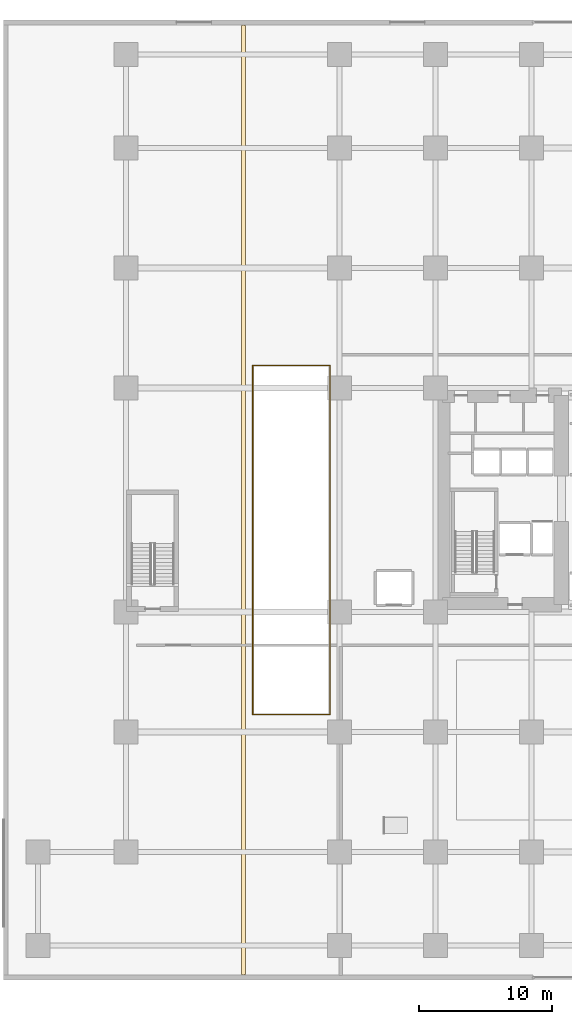
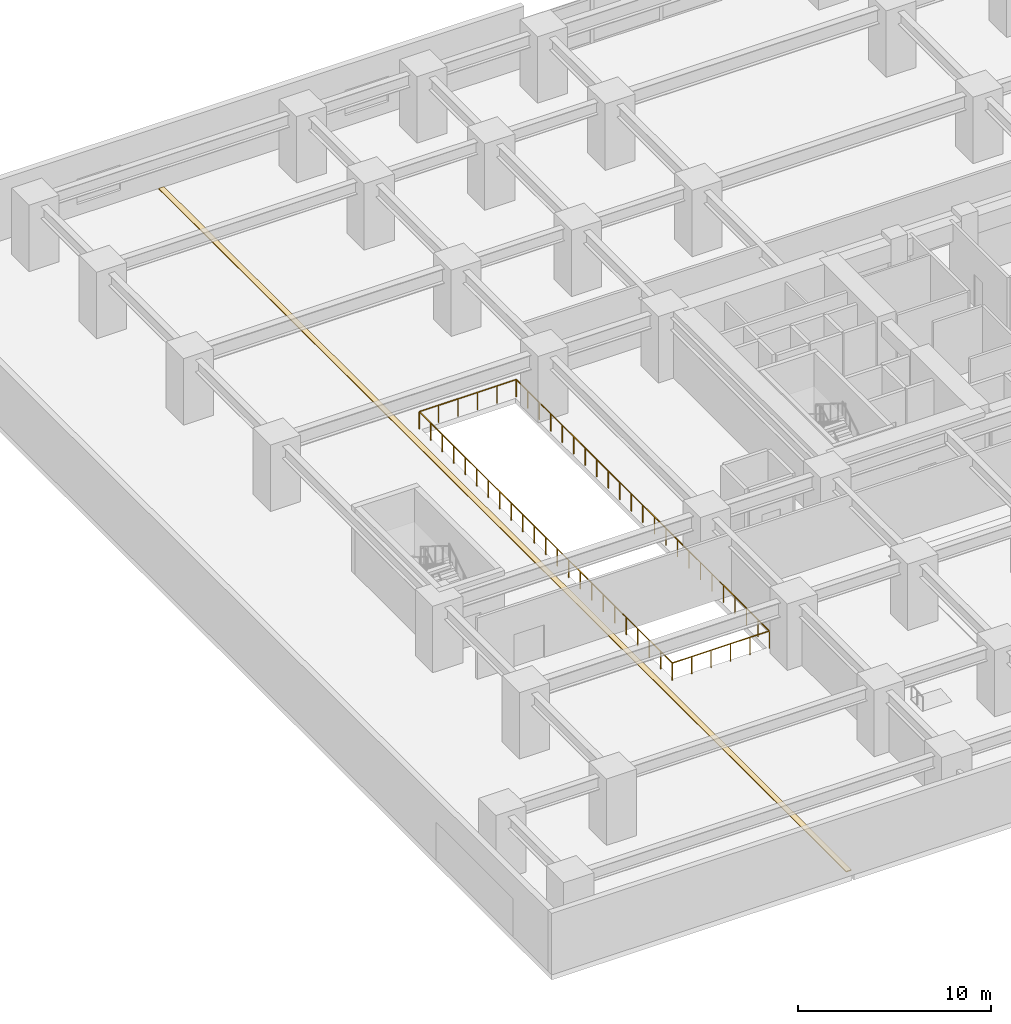
# One storey, part 18 of 22: 1 covering, 1 railing.
"""IFC4 building model written with IfcOpenShell, lengths in metres."""

from ifc_helpers import new_model, si_unit, direction, frame, origin, origin_2d, place, context, subcontext, project, spatial, polyline, rectangle, outline, extrude, material, layer, layer_set, type_object, element, save


model = new_model("IFC4")

# Units and contexts
model_context = context("Model", 3, precision=1e-05, world=origin(), true_north=direction((0.0, 1.0)))
body_context = subcontext(model_context, "Body", "Model", "MODEL_VIEW")
ifc_project = project(units=[si_unit("LENGTHUNIT", "METRE"), si_unit("AREAUNIT", "SQUARE_METRE"), si_unit("VOLUMEUNIT", "CUBIC_METRE"), si_unit("PLANEANGLEUNIT", "RADIAN"), si_unit("MASSUNIT", "GRAM", prefix="KILO")], contexts=[model_context])

# Site, building, storey
site_placement = place(None, origin())
site = spatial("IfcSite", under=ifc_project, at=site_placement, CompositionType="ELEMENT")
building_placement = place(site_placement, origin())
building = spatial("IfcBuilding", under=site, at=building_placement, Name="Kiyonajd Concourse Tower", CompositionType="ELEMENT")
storey_placement = place(building_placement, frame((0.0, 0.0, 8.699951171875)))
storey = spatial("IfcBuildingStorey", under=building, at=storey_placement, Name="L03", CompositionType="ELEMENT", Elevation=8.699951171875)

# Covering
ifc_material_1 = material(Name="Riyadh Jubaila Limestone", Category="masonry")
ifc_layer = layer(ifc_material_1, 0.050048828125)
ifc_layer_set = layer_set([ifc_layer], Name="Riyadh Jubaila Limestone")
covering_type = type_object("IfcCoveringType", Name="CV-FLR-RAISED", PredefinedType="FLOORING", material=ifc_layer_set)
covering_placement = place(storey_placement, origin())
element("IfcCovering", 1, at=covering_placement, inside=storey, type_object=covering_type, Name="L03 Seismic Movement Joint MJ1 Floor Cover Assembly", PredefinedType="FLOORING", context=body_context, shape_type="SweptSolid", body=[
    extrude(outline(polyline([(17.840087890625, 0.39990234375), (18.159912109375, 0.39990234375), (18.159912109375, 71.60009765625), (17.840087890625, 71.60009765625), (17.840087890625, 0.39990234375)])), origin(), (0.0, 0.0, 1.0), 0.050048828125),
])

# Railing
ifc_material_2 = material(Name="Thermally Broken Anodised Aluminium", Category="aluminium")
railing_type = type_object("IfcRailingType", Name="RL-BAL-1100", PredefinedType="BALUSTRADE", material=ifc_material_2)
railing_placement = place(storey_placement, frame((18.699951171875, 19.89990234375, 0.0)))
element("IfcRailing", 2, at=railing_placement, inside=storey, type_object=railing_type, Name="L03 Auditorium Balcony Void Balustrade", PredefinedType="BALUSTRADE", context=body_context, shape_type="SweptSolid", body=[
    extrude(rectangle(XDim=0.048095703125, YDim=0.048095703125, at=origin_2d()), frame((0.0, 0.0, 1.09619140625), z_axis=(1.0, 0.0, 0.0), x_axis=(0.0, 1.0, 0.0)), (0.0, 0.0, 1.0), 5.800048828125),
    extrude(rectangle(XDim=0.048095703125, YDim=0.048095703125, at=origin_2d()), frame((5.800048828125, 0.0, 1.09619140625), z_axis=(0.0, 1.0, 0.0), x_axis=(-1.0, 0.0, 0.0)), (0.0, 0.0, 1.0), 26.2001953125),
    extrude(rectangle(XDim=0.048095703125, YDim=0.048095703125, at=origin_2d()), frame((5.800048828125, 26.2001953125, 1.09619140625), z_axis=(-1.0, 0.0, 0.0), x_axis=(0.0, -1.0, 0.0)), (0.0, 0.0, 1.0), 5.800048828125),
    extrude(rectangle(XDim=0.048095703125, YDim=0.048095703125, at=origin_2d()), frame((0.0, 26.2001953125, 1.09619140625), z_axis=(0.0, -1.0, 0.0), x_axis=(1.0, 0.0, 0.0)), (0.0, 0.0, 1.0), 26.2001953125),
    extrude(rectangle(XDim=0.0419921875, YDim=0.0419921875, at=origin_2d()), origin(), (0.0, 0.0, 1.0), 1.072021484375),
    extrude(rectangle(XDim=0.0419921875, YDim=0.0419921875, at=origin_2d()), frame((1.159912109375, 0.0, 0.0)), (0.0, 0.0, 1.0), 1.072021484375),
    extrude(rectangle(XDim=0.0419921875, YDim=0.0419921875, at=origin_2d()), frame((2.320068359375, 0.0, 0.0)), (0.0, 0.0, 1.0), 1.072021484375),
    extrude(rectangle(XDim=0.0419921875, YDim=0.0419921875, at=origin_2d()), frame((3.47998046875, 0.0, 0.0)), (0.0, 0.0, 1.0), 1.072021484375),
    extrude(rectangle(XDim=0.0419921875, YDim=0.0419921875, at=origin_2d()), frame((4.64013671875, 0.0, 0.0)), (0.0, 0.0, 1.0), 1.072021484375),
    extrude(rectangle(XDim=0.0419921875, YDim=0.0419921875, at=origin_2d()), frame((5.800048828125, 0.0, 0.0)), (0.0, 0.0, 1.0), 1.072021484375),
    extrude(rectangle(XDim=0.0419921875, YDim=0.0419921875, at=origin_2d()), frame((5.800048828125, 1.19091796875, 0.0)), (0.0, 0.0, 1.0), 1.072021484375),
    extrude(rectangle(XDim=0.0419921875, YDim=0.0419921875, at=origin_2d()), frame((5.800048828125, 2.3818359375, 0.0)), (0.0, 0.0, 1.0), 1.072021484375),
    extrude(rectangle(XDim=0.0419921875, YDim=0.0419921875, at=origin_2d()), frame((5.800048828125, 3.57275390625, 0.0)), (0.0, 0.0, 1.0), 1.072021484375),
    extrude(rectangle(XDim=0.0419921875, YDim=0.0419921875, at=origin_2d()), frame((5.800048828125, 4.763671875, 0.0)), (0.0, 0.0, 1.0), 1.072021484375),
    extrude(rectangle(XDim=0.0419921875, YDim=0.0419921875, at=origin_2d()), frame((5.800048828125, 5.95458984375, 0.0)), (0.0, 0.0, 1.0), 1.072021484375),
    extrude(rectangle(XDim=0.0419921875, YDim=0.0419921875, at=origin_2d()), frame((5.800048828125, 7.1455078125, 0.0)), (0.0, 0.0, 1.0), 1.072021484375),
    extrude(rectangle(XDim=0.0419921875, YDim=0.0419921875, at=origin_2d()), frame((5.800048828125, 8.33642578125, 0.0)), (0.0, 0.0, 1.0), 1.072021484375),
    extrude(rectangle(XDim=0.0419921875, YDim=0.0419921875, at=origin_2d()), frame((5.800048828125, 9.52734375, 0.0)), (0.0, 0.0, 1.0), 1.072021484375),
    extrude(rectangle(XDim=0.0419921875, YDim=0.0419921875, at=origin_2d()), frame((5.800048828125, 10.71826171875, 0.0)), (0.0, 0.0, 1.0), 1.072021484375),
    extrude(rectangle(XDim=0.0419921875, YDim=0.0419921875, at=origin_2d()), frame((5.800048828125, 11.9091796875, 0.0)), (0.0, 0.0, 1.0), 1.072021484375),
    extrude(rectangle(XDim=0.0419921875, YDim=0.0419921875, at=origin_2d()), frame((5.800048828125, 13.10009765625, 0.0)), (0.0, 0.0, 1.0), 1.072021484375),
    extrude(rectangle(XDim=0.0419921875, YDim=0.0419921875, at=origin_2d()), frame((5.800048828125, 14.291015625, 0.0)), (0.0, 0.0, 1.0), 1.072021484375),
    extrude(rectangle(XDim=0.0419921875, YDim=0.0419921875, at=origin_2d()), frame((5.800048828125, 15.48193359375, 0.0)), (0.0, 0.0, 1.0), 1.072021484375),
    extrude(rectangle(XDim=0.0419921875, YDim=0.0419921875, at=origin_2d()), frame((5.800048828125, 16.6728515625, 0.0)), (0.0, 0.0, 1.0), 1.072021484375),
    extrude(rectangle(XDim=0.0419921875, YDim=0.0419921875, at=origin_2d()), frame((5.800048828125, 17.86376953125, 0.0)), (0.0, 0.0, 1.0), 1.072021484375),
    extrude(rectangle(XDim=0.0419921875, YDim=0.0419921875, at=origin_2d()), frame((5.800048828125, 19.0546875, 0.0)), (0.0, 0.0, 1.0), 1.072021484375),
    extrude(rectangle(XDim=0.0419921875, YDim=0.0419921875, at=origin_2d()), frame((5.800048828125, 20.24560546875, 0.0)), (0.0, 0.0, 1.0), 1.072021484375),
    extrude(rectangle(XDim=0.0419921875, YDim=0.0419921875, at=origin_2d()), frame((5.800048828125, 21.4365234375, 0.0)), (0.0, 0.0, 1.0), 1.072021484375),
    extrude(rectangle(XDim=0.0419921875, YDim=0.0419921875, at=origin_2d()), frame((5.800048828125, 22.62744140625, 0.0)), (0.0, 0.0, 1.0), 1.072021484375),
    extrude(rectangle(XDim=0.0419921875, YDim=0.0419921875, at=origin_2d()), frame((5.800048828125, 23.818359375, 0.0)), (0.0, 0.0, 1.0), 1.072021484375),
    extrude(rectangle(XDim=0.0419921875, YDim=0.0419921875, at=origin_2d()), frame((5.800048828125, 25.00927734375, 0.0)), (0.0, 0.0, 1.0), 1.072021484375),
    extrude(rectangle(XDim=0.0419921875, YDim=0.0419921875, at=origin_2d()), frame((5.800048828125, 26.2001953125, 0.0)), (0.0, 0.0, 1.0), 1.072021484375),
    extrude(rectangle(XDim=0.0419921875, YDim=0.0419921875, at=origin_2d()), frame((4.64013671875, 26.2001953125, 0.0)), (0.0, 0.0, 1.0), 1.072021484375),
    extrude(rectangle(XDim=0.0419921875, YDim=0.0419921875, at=origin_2d()), frame((3.47998046875, 26.2001953125, 0.0)), (0.0, 0.0, 1.0), 1.072021484375),
    extrude(rectangle(XDim=0.0419921875, YDim=0.0419921875, at=origin_2d()), frame((2.320068359375, 26.2001953125, 0.0)), (0.0, 0.0, 1.0), 1.072021484375),
    extrude(rectangle(XDim=0.0419921875, YDim=0.0419921875, at=origin_2d()), frame((1.159912109375, 26.2001953125, 0.0)), (0.0, 0.0, 1.0), 1.072021484375),
    extrude(rectangle(XDim=0.0419921875, YDim=0.0419921875, at=origin_2d()), frame((0.0, 26.2001953125, 0.0)), (0.0, 0.0, 1.0), 1.072021484375),
    extrude(rectangle(XDim=0.0419921875, YDim=0.0419921875, at=origin_2d()), frame((0.0, 25.00927734375, 0.0)), (0.0, 0.0, 1.0), 1.072021484375),
    extrude(rectangle(XDim=0.0419921875, YDim=0.0419921875, at=origin_2d()), frame((0.0, 23.818359375, 0.0)), (0.0, 0.0, 1.0), 1.072021484375),
    extrude(rectangle(XDim=0.0419921875, YDim=0.0419921875, at=origin_2d()), frame((0.0, 22.62744140625, 0.0)), (0.0, 0.0, 1.0), 1.072021484375),
    extrude(rectangle(XDim=0.0419921875, YDim=0.0419921875, at=origin_2d()), frame((0.0, 21.4365234375, 0.0)), (0.0, 0.0, 1.0), 1.072021484375),
    extrude(rectangle(XDim=0.0419921875, YDim=0.0419921875, at=origin_2d()), frame((0.0, 20.24560546875, 0.0)), (0.0, 0.0, 1.0), 1.072021484375),
    extrude(rectangle(XDim=0.0419921875, YDim=0.0419921875, at=origin_2d()), frame((0.0, 19.0546875, 0.0)), (0.0, 0.0, 1.0), 1.072021484375),
    extrude(rectangle(XDim=0.0419921875, YDim=0.0419921875, at=origin_2d()), frame((0.0, 17.86376953125, 0.0)), (0.0, 0.0, 1.0), 1.072021484375),
    extrude(rectangle(XDim=0.0419921875, YDim=0.0419921875, at=origin_2d()), frame((0.0, 16.6728515625, 0.0)), (0.0, 0.0, 1.0), 1.072021484375),
    extrude(rectangle(XDim=0.0419921875, YDim=0.0419921875, at=origin_2d()), frame((0.0, 15.48193359375, 0.0)), (0.0, 0.0, 1.0), 1.072021484375),
    extrude(rectangle(XDim=0.0419921875, YDim=0.0419921875, at=origin_2d()), frame((0.0, 14.291015625, 0.0)), (0.0, 0.0, 1.0), 1.072021484375),
    extrude(rectangle(XDim=0.0419921875, YDim=0.0419921875, at=origin_2d()), frame((0.0, 13.10009765625, 0.0)), (0.0, 0.0, 1.0), 1.072021484375),
    extrude(rectangle(XDim=0.0419921875, YDim=0.0419921875, at=origin_2d()), frame((0.0, 11.9091796875, 0.0)), (0.0, 0.0, 1.0), 1.072021484375),
    extrude(rectangle(XDim=0.0419921875, YDim=0.0419921875, at=origin_2d()), frame((0.0, 10.71826171875, 0.0)), (0.0, 0.0, 1.0), 1.072021484375),
    extrude(rectangle(XDim=0.0419921875, YDim=0.0419921875, at=origin_2d()), frame((0.0, 9.52734375, 0.0)), (0.0, 0.0, 1.0), 1.072021484375),
    extrude(rectangle(XDim=0.0419921875, YDim=0.0419921875, at=origin_2d()), frame((0.0, 8.33642578125, 0.0)), (0.0, 0.0, 1.0), 1.072021484375),
    extrude(rectangle(XDim=0.0419921875, YDim=0.0419921875, at=origin_2d()), frame((0.0, 7.1455078125, 0.0)), (0.0, 0.0, 1.0), 1.072021484375),
    extrude(rectangle(XDim=0.0419921875, YDim=0.0419921875, at=origin_2d()), frame((0.0, 5.95458984375, 0.0)), (0.0, 0.0, 1.0), 1.072021484375),
    extrude(rectangle(XDim=0.0419921875, YDim=0.0419921875, at=origin_2d()), frame((0.0, 4.763671875, 0.0)), (0.0, 0.0, 1.0), 1.072021484375),
    extrude(rectangle(XDim=0.0419921875, YDim=0.0419921875, at=origin_2d()), frame((0.0, 3.57275390625, 0.0)), (0.0, 0.0, 1.0), 1.072021484375),
    extrude(rectangle(XDim=0.0419921875, YDim=0.0419921875, at=origin_2d()), frame((0.0, 2.3818359375, 0.0)), (0.0, 0.0, 1.0), 1.072021484375),
    extrude(rectangle(XDim=0.0419921875, YDim=0.0419921875, at=origin_2d()), frame((0.0, 1.19091796875, 0.0)), (0.0, 0.0, 1.0), 1.072021484375),
])

save(model, "model.ifc")
